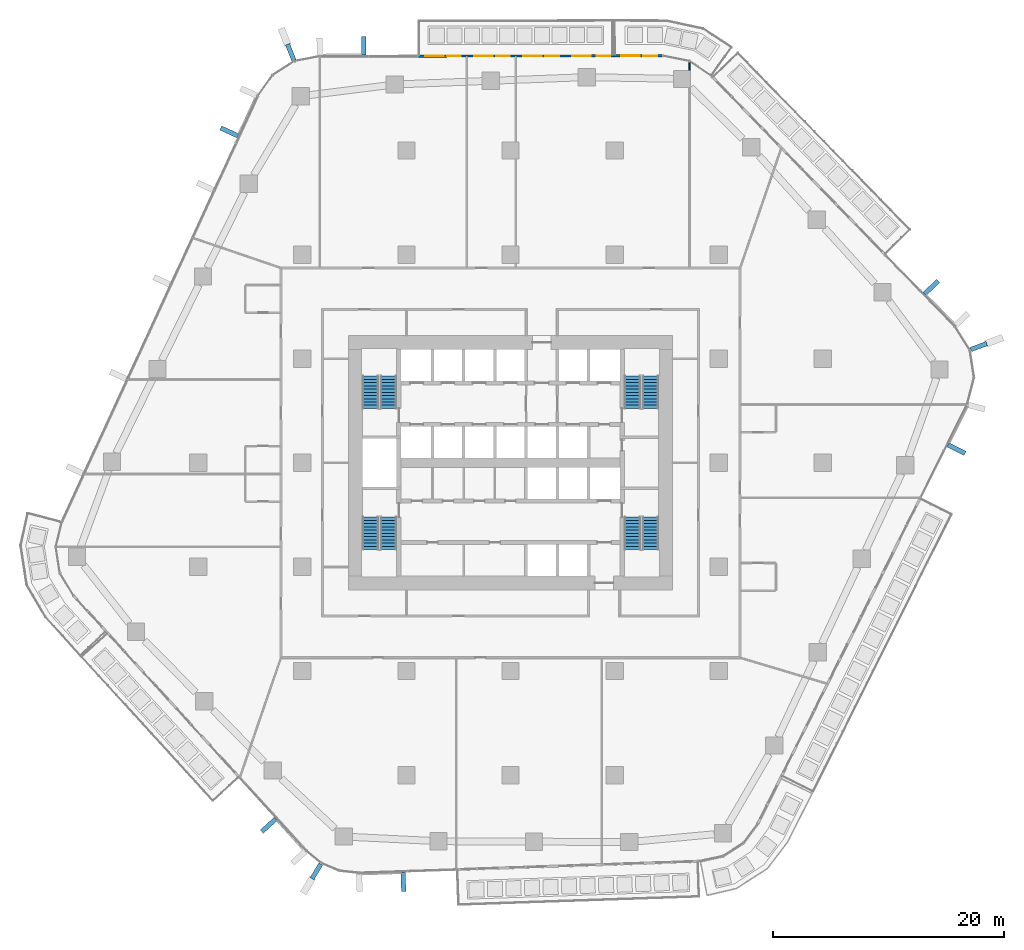
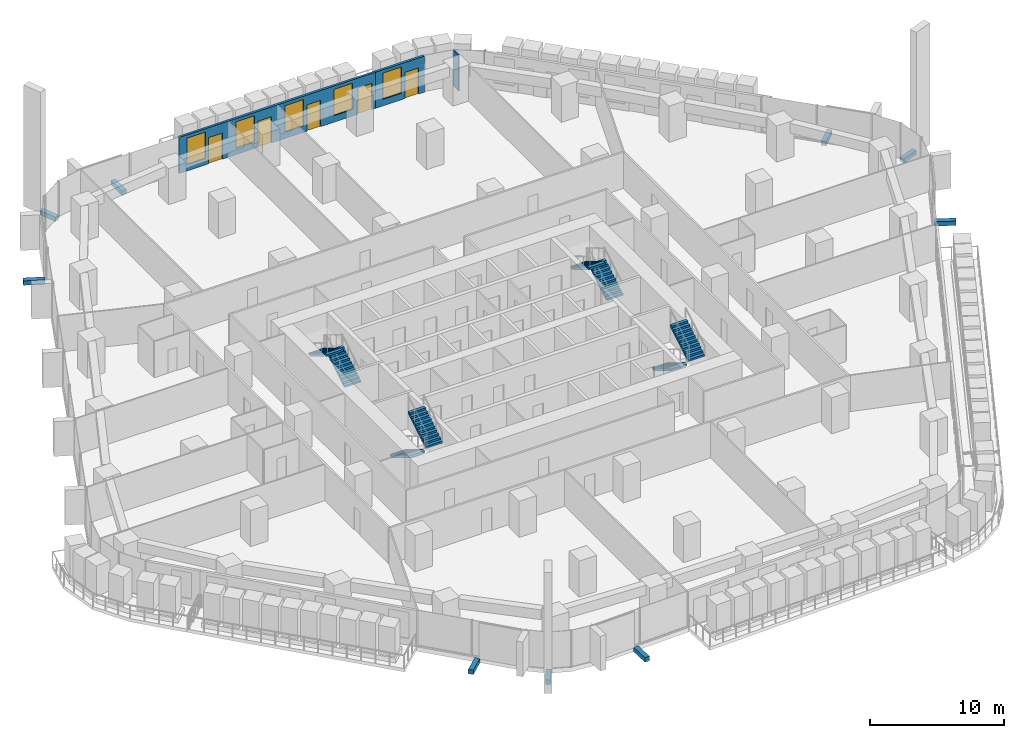
# One storey, part 18 of 26: 9 discrete accessories, 8 stair flights, 5 doors, 5 windows, 3 walls, 10 openings, 4 elements without a shape of their own.
"""IFC4 building model written with IfcOpenShell, lengths in metres."""

from ifc_helpers import new_model, si_unit, direction, frame, frame_2d, origin, origin_2d, place, context, subcontext, project, spatial, polyline, rectangle, outline, extrude, material, layer, layer_set, type_object, element, fill, aggregate, save


model = new_model("IFC4")

# Units and contexts
model_context = context("Model", 3, precision=1e-05, world=origin(), true_north=direction((0.0, 1.0)))
body_context = subcontext(model_context, "Body", "Model", "MODEL_VIEW")
ifc_project = project(units=[si_unit("LENGTHUNIT", "METRE"), si_unit("AREAUNIT", "SQUARE_METRE"), si_unit("VOLUMEUNIT", "CUBIC_METRE"), si_unit("PLANEANGLEUNIT", "RADIAN"), si_unit("MASSUNIT", "GRAM", prefix="KILO")], contexts=[model_context])

# Site, building, storey
site_placement = place(None, origin())
site = spatial("IfcSite", under=ifc_project, at=site_placement, CompositionType="ELEMENT")
building_placement = place(site_placement, origin())
building = spatial("IfcBuilding", under=site, at=building_placement, Name="Dongbaek Canopy Tower", CompositionType="ELEMENT")
storey_placement = place(building_placement, frame((0.0, 0.0, 66.199951171875)))
storey = spatial("IfcBuildingStorey", under=building, at=storey_placement, Name="L12", CompositionType="ELEMENT", Elevation=66.199951171875)

# Wall
ifc_material_1 = material(Name="Gypsum board partition, steel stud, 2 x 12.5 mm board", Category="steel")
ifc_layer_1 = layer(ifc_material_1, 0.10009765625)
ifc_layer_set_1 = layer_set([ifc_layer_1], Name="Partition 100 gypsum board")
wall_type_1 = type_object("IfcWallType", Name="Partition 100 gypsum board", PredefinedType="PARTITIONING", material=ifc_layer_set_1)
wall_1_placement = place(storey_placement, frame((15.47607421875, 33.944091796875, 0.0), z_axis=(0.0, 0.0, 1.0), x_axis=(0.0, 1.0, 0.0)))
element("IfcWall", 1, at=wall_1_placement, inside=storey, type_object=wall_type_1, Name="Partition", PredefinedType="PARTITIONING", context=body_context, shape_type="SweptSolid", body=[
    extrude(rectangle(XDim=0.76171875, YDim=0.10009765625, at=frame_2d((0.380859375, 0.0))), origin(), (0.0, 0.0, 1.0), 3.300048828125),
])

# Wall, openings, doors, windows
ifc_material_2 = material(Name="Aluminium window wall", Category="aluminium")
ifc_layer_2 = layer(ifc_material_2, 0.199951171875)
ifc_layer_set_2 = layer_set([ifc_layer_2], Name="Window wall 200")
wall_type_2 = type_object("IfcWallType", Name="Window wall 200", PredefinedType="SOLIDWALL", material=ifc_layer_set_2)
wall_2_placement = place(storey_placement, frame((8.934326171875, 35.189697265625, 0.0), z_axis=(0.0, 0.0, 1.0), x_axis=(-0.999998964441, -0.001439137329, 0.0)))
wall_2 = element("IfcWall", 2, at=wall_2_placement, inside=storey, type_object=wall_type_2, Name="Window wall L12 2", PredefinedType="SOLIDWALL", context=body_context, shape_type="SweptSolid", body=[
    extrude(rectangle(XDim=16.96435546875, YDim=0.199951171875, at=frame_2d((8.482177734375, 0.0))), origin(), (0.0, 0.0, 1.0), 3.300048828125),
])
opening_1_placement = place(wall_2_placement, frame((2.0, 0.0, 0.60009765625)))
opening_1 = element("IfcOpeningElement", 3, at=opening_1_placement, cuts=wall_2, Name="Opening W1", PredefinedType="OPENING", context=body_context, shape_type="SweptSolid", body=[
    extrude(rectangle(XDim=1.60009765625, YDim=2.39990234375, at=frame_2d((0.800048828125, 1.199951171875))), frame((0.0, 0.10986328125, 0.0), z_axis=(0.0, -1.0, 0.0), x_axis=(1.0, 0.0, 0.0)), (0.0, 0.0, 1.0), 0.219970703125),
])
opening_2_placement = place(wall_2_placement, frame((0.300048828125, 0.0, 0.0)))
opening_2 = element("IfcOpeningElement", 4, at=opening_2_placement, cuts=wall_2, Name="Opening L12-B06", PredefinedType="OPENING", context=body_context, shape_type="SweptSolid", body=[
    extrude(rectangle(XDim=1.199951171875, YDim=2.39990234375, at=frame_2d((0.60009765625, 1.199951171875))), frame((0.0, 0.10986328125, 0.0), z_axis=(0.0, -1.0, 0.0), x_axis=(1.0, 0.0, 0.0)), (0.0, 0.0, 1.0), 0.219970703125),
])
opening_3_placement = place(wall_2_placement, frame((6.2412109375, 0.0, 0.60009765625)))
opening_3 = element("IfcOpeningElement", 5, at=opening_3_placement, cuts=wall_2, Name="Opening W1", PredefinedType="OPENING", context=body_context, shape_type="SweptSolid", body=[
    extrude(rectangle(XDim=1.60009765625, YDim=2.39990234375, at=frame_2d((0.800048828125, 1.199951171875))), frame((0.0, 0.10986328125, 0.0), z_axis=(0.0, -1.0, 0.0), x_axis=(1.0, 0.0, 0.0)), (0.0, 0.0, 1.0), 0.219970703125),
])
opening_4_placement = place(wall_2_placement, frame((4.7412109375, 0.0, 0.0)))
opening_4 = element("IfcOpeningElement", 6, at=opening_4_placement, cuts=wall_2, Name="Opening L12-B07", PredefinedType="OPENING", context=body_context, shape_type="SweptSolid", body=[
    extrude(rectangle(XDim=1.199951171875, YDim=2.39990234375, at=frame_2d((0.60009765625, 1.199951171875))), frame((0.0, 0.10986328125, 0.0), z_axis=(0.0, -1.0, 0.0), x_axis=(1.0, 0.0, 0.0)), (0.0, 0.0, 1.0), 0.219970703125),
])
opening_5_placement = place(wall_2_placement, frame((10.482177734375, 0.0, 0.60009765625)))
opening_5 = element("IfcOpeningElement", 7, at=opening_5_placement, cuts=wall_2, Name="Opening W1", PredefinedType="OPENING", context=body_context, shape_type="SweptSolid", body=[
    extrude(rectangle(XDim=1.60009765625, YDim=2.39990234375, at=frame_2d((0.800048828125, 1.199951171875))), frame((0.0, 0.10986328125, 0.0), z_axis=(0.0, -1.0, 0.0), x_axis=(1.0, 0.0, 0.0)), (0.0, 0.0, 1.0), 0.219970703125),
])
opening_6_placement = place(wall_2_placement, frame((8.982177734375, 0.0, 0.0)))
opening_6 = element("IfcOpeningElement", 8, at=opening_6_placement, cuts=wall_2, Name="Opening L12-B08", PredefinedType="OPENING", context=body_context, shape_type="SweptSolid", body=[
    extrude(rectangle(XDim=1.199951171875, YDim=2.39990234375, at=frame_2d((0.60009765625, 1.199951171875))), frame((0.0, 0.10986328125, 0.0), z_axis=(0.0, -1.0, 0.0), x_axis=(1.0, 0.0, 0.0)), (0.0, 0.0, 1.0), 0.219970703125),
])
opening_7_placement = place(wall_2_placement, frame((14.723388671875, 0.0, 0.60009765625)))
opening_7 = element("IfcOpeningElement", 9, at=opening_7_placement, cuts=wall_2, Name="Opening W1", PredefinedType="OPENING", context=body_context, shape_type="SweptSolid", body=[
    extrude(rectangle(XDim=1.60009765625, YDim=2.39990234375, at=frame_2d((0.800048828125, 1.199951171875))), frame((0.0, 0.10986328125, 0.0), z_axis=(0.0, -1.0, 0.0), x_axis=(1.0, 0.0, 0.0)), (0.0, 0.0, 1.0), 0.219970703125),
])
opening_8_placement = place(wall_2_placement, frame((13.223388671875, 0.0, 0.0)))
opening_8 = element("IfcOpeningElement", 10, at=opening_8_placement, cuts=wall_2, Name="Opening L12-B09", PredefinedType="OPENING", context=body_context, shape_type="SweptSolid", body=[
    extrude(rectangle(XDim=1.199951171875, YDim=2.39990234375, at=frame_2d((0.60009765625, 1.199951171875))), frame((0.0, 0.10986328125, 0.0), z_axis=(0.0, -1.0, 0.0), x_axis=(1.0, 0.0, 0.0)), (0.0, 0.0, 1.0), 0.219970703125),
])
ifc_material_3 = material(Name="Clear glazing in aluminium frame", Category="aluminium")
door_type = type_object("IfcDoorType", Name="Balcony door BD1 1200 x 2400", OperationType="SLIDING_TO_LEFT", PredefinedType="DOOR", material=ifc_material_3)
door_1_placement = place(opening_2_placement, origin())
door_1 = element("IfcDoor", 11, at=door_1_placement, inside=storey, type_object=door_type, Name="Balcony door L12-B06", OperationType="SLIDING_TO_LEFT", OverallHeight=2.39990234375, OverallWidth=1.199951171875, PredefinedType="DOOR", context=body_context, shape_type="SweptSolid", body=[
    extrude(rectangle(XDim=1.199951171875, YDim=2.39990234375, at=frame_2d((0.60009765625, 1.199951171875))), frame((0.0, 0.02490234375, 0.0), z_axis=(0.0, -1.0, 0.0), x_axis=(1.0, 0.0, 0.0)), (0.0, 0.0, 1.0), 0.050048828125),
])
fill(opening_2, door_1)
door_2_placement = place(opening_4_placement, origin())
door_2 = element("IfcDoor", 12, at=door_2_placement, inside=storey, type_object=door_type, Name="Balcony door L12-B07", OperationType="SLIDING_TO_LEFT", OverallHeight=2.39990234375, OverallWidth=1.199951171875, PredefinedType="DOOR", context=body_context, shape_type="SweptSolid", body=[
    extrude(rectangle(XDim=1.199951171875, YDim=2.39990234375, at=frame_2d((0.60009765625, 1.199951171875))), frame((0.0, 0.02490234375, 0.0), z_axis=(0.0, -1.0, 0.0), x_axis=(1.0, 0.0, 0.0)), (0.0, 0.0, 1.0), 0.050048828125),
])
fill(opening_4, door_2)
door_3_placement = place(opening_6_placement, origin())
door_3 = element("IfcDoor", 13, at=door_3_placement, inside=storey, type_object=door_type, Name="Balcony door L12-B08", OperationType="SLIDING_TO_LEFT", OverallHeight=2.39990234375, OverallWidth=1.199951171875, PredefinedType="DOOR", context=body_context, shape_type="SweptSolid", body=[
    extrude(rectangle(XDim=1.199951171875, YDim=2.39990234375, at=frame_2d((0.60009765625, 1.199951171875))), frame((0.0, 0.02490234375, 0.0), z_axis=(0.0, -1.0, 0.0), x_axis=(1.0, 0.0, 0.0)), (0.0, 0.0, 1.0), 0.050048828125),
])
fill(opening_6, door_3)
door_4_placement = place(opening_8_placement, origin())
door_4 = element("IfcDoor", 14, at=door_4_placement, inside=storey, type_object=door_type, Name="Balcony door L12-B09", OperationType="SLIDING_TO_LEFT", OverallHeight=2.39990234375, OverallWidth=1.199951171875, PredefinedType="DOOR", context=body_context, shape_type="SweptSolid", body=[
    extrude(rectangle(XDim=1.199951171875, YDim=2.39990234375, at=frame_2d((0.60009765625, 1.199951171875))), frame((0.0, 0.02490234375, 0.0), z_axis=(0.0, -1.0, 0.0), x_axis=(1.0, 0.0, 0.0)), (0.0, 0.0, 1.0), 0.050048828125),
])
fill(opening_8, door_4)
ifc_material_4 = material(Name="Clear glazing in aluminium frame", Category="aluminium")
window_type = type_object("IfcWindowType", Name="Window W1 1600 x 2400", PartitioningType="SINGLE_PANEL", PredefinedType="WINDOW", material=ifc_material_4)
window_1_placement = place(opening_1_placement, origin())
window_1 = element("IfcWindow", 15, at=window_1_placement, inside=storey, type_object=window_type, Name="Window L12 2.1", OverallHeight=2.39990234375, OverallWidth=1.60009765625, PartitioningType="SINGLE_PANEL", PredefinedType="WINDOW", context=body_context, shape_type="SweptSolid", body=[
    extrude(rectangle(XDim=1.60009765625, YDim=2.39990234375, at=frame_2d((0.800048828125, 1.199951171875))), frame((0.0, 0.030029296875, 0.0), z_axis=(0.0, -1.0, 0.0), x_axis=(1.0, 0.0, 0.0)), (0.0, 0.0, 1.0), 0.06005859375),
])
fill(opening_1, window_1)
window_2_placement = place(opening_3_placement, origin())
window_2 = element("IfcWindow", 16, at=window_2_placement, inside=storey, type_object=window_type, Name="Window L12 2.2", OverallHeight=2.39990234375, OverallWidth=1.60009765625, PartitioningType="SINGLE_PANEL", PredefinedType="WINDOW", context=body_context, shape_type="SweptSolid", body=[
    extrude(rectangle(XDim=1.60009765625, YDim=2.39990234375, at=frame_2d((0.800048828125, 1.199951171875))), frame((0.0, 0.030029296875, 0.0), z_axis=(0.0, -1.0, 0.0), x_axis=(1.0, 0.0, 0.0)), (0.0, 0.0, 1.0), 0.06005859375),
])
fill(opening_3, window_2)
window_3_placement = place(opening_5_placement, origin())
window_3 = element("IfcWindow", 17, at=window_3_placement, inside=storey, type_object=window_type, Name="Window L12 2.3", OverallHeight=2.39990234375, OverallWidth=1.60009765625, PartitioningType="SINGLE_PANEL", PredefinedType="WINDOW", context=body_context, shape_type="SweptSolid", body=[
    extrude(rectangle(XDim=1.60009765625, YDim=2.39990234375, at=frame_2d((0.800048828125, 1.199951171875))), frame((0.0, 0.030029296875, 0.0), z_axis=(0.0, -1.0, 0.0), x_axis=(1.0, 0.0, 0.0)), (0.0, 0.0, 1.0), 0.06005859375),
])
fill(opening_5, window_3)
window_4_placement = place(opening_7_placement, origin())
window_4 = element("IfcWindow", 18, at=window_4_placement, inside=storey, type_object=window_type, Name="Window L12 2.4", OverallHeight=2.39990234375, OverallWidth=1.60009765625, PartitioningType="SINGLE_PANEL", PredefinedType="WINDOW", context=body_context, shape_type="SweptSolid", body=[
    extrude(rectangle(XDim=1.60009765625, YDim=2.39990234375, at=frame_2d((0.800048828125, 1.199951171875))), frame((0.0, 0.030029296875, 0.0), z_axis=(0.0, -1.0, 0.0), x_axis=(1.0, 0.0, 0.0)), (0.0, 0.0, 1.0), 0.06005859375),
])
fill(opening_7, window_4)

# Wall, openings, door, window
wall_3_placement = place(storey_placement, frame((13.16552734375, 35.19580078125, 0.0), z_axis=(0.0, 0.0, 1.0), x_axis=(-0.999998959596, -0.001442500374, 0.0)))
wall_3 = element("IfcWall", 19, at=wall_3_placement, inside=storey, type_object=wall_type_2, Name="Window wall L12 6", PredefinedType="SOLIDWALL", context=body_context, shape_type="SweptSolid", body=[
    extrude(rectangle(XDim=4.231201171875, YDim=0.199951171875, at=frame_2d((2.11572265625, 0.0))), origin(), (0.0, 0.0, 1.0), 3.300048828125),
])
opening_9_placement = place(wall_3_placement, frame((2.0, 0.0, 0.60009765625)))
opening_9 = element("IfcOpeningElement", 20, at=opening_9_placement, cuts=wall_3, Name="Opening W1", PredefinedType="OPENING", context=body_context, shape_type="SweptSolid", body=[
    extrude(rectangle(XDim=1.60009765625, YDim=2.39990234375, at=frame_2d((0.800048828125, 1.199951171875))), frame((0.0, 0.10986328125, 0.0), z_axis=(0.0, -1.0, 0.0), x_axis=(1.0, 0.0, 0.0)), (0.0, 0.0, 1.0), 0.219970703125),
])
opening_10_placement = place(wall_3_placement, frame((0.5, 0.0, 0.0)))
opening_10 = element("IfcOpeningElement", 21, at=opening_10_placement, cuts=wall_3, Name="Opening L12-B10", PredefinedType="OPENING", context=body_context, shape_type="SweptSolid", body=[
    extrude(rectangle(XDim=1.199951171875, YDim=2.39990234375, at=frame_2d((0.60009765625, 1.199951171875))), frame((0.0, 0.10986328125, 0.0), z_axis=(0.0, -1.0, 0.0), x_axis=(1.0, 0.0, 0.0)), (0.0, 0.0, 1.0), 0.219970703125),
])
door_5_placement = place(opening_10_placement, origin())
door_5 = element("IfcDoor", 22, at=door_5_placement, inside=storey, type_object=door_type, Name="Balcony door L12-B10", OperationType="SLIDING_TO_LEFT", OverallHeight=2.39990234375, OverallWidth=1.199951171875, PredefinedType="DOOR", context=body_context, shape_type="SweptSolid", body=[
    extrude(rectangle(XDim=1.199951171875, YDim=2.39990234375, at=frame_2d((0.60009765625, 1.199951171875))), frame((0.0, 0.02490234375, 0.0), z_axis=(0.0, -1.0, 0.0), x_axis=(1.0, 0.0, 0.0)), (0.0, 0.0, 1.0), 0.050048828125),
])
fill(opening_10, door_5)
window_5_placement = place(opening_9_placement, origin())
window_5 = element("IfcWindow", 23, at=window_5_placement, inside=storey, type_object=window_type, Name="Window L12 6.1", OverallHeight=2.39990234375, OverallWidth=1.60009765625, PartitioningType="SINGLE_PANEL", PredefinedType="WINDOW", context=body_context, shape_type="SweptSolid", body=[
    extrude(rectangle(XDim=1.60009765625, YDim=2.39990234375, at=frame_2d((0.800048828125, 1.199951171875))), frame((0.0, 0.030029296875, 0.0), z_axis=(0.0, -1.0, 0.0), x_axis=(1.0, 0.0, 0.0)), (0.0, 0.0, 1.0), 0.06005859375),
])
fill(opening_9, window_5)

# Stair, stair flights
ifc_material_5 = material(Name="Concrete C40/50", Category="concrete")
stair_type = type_object("IfcStairType", Name="Core exit stair", PredefinedType="HALF_TURN_STAIR", material=ifc_material_5)
stair_1_placement = place(storey_placement, origin())
stair_1 = element("IfcStair", 24, at=stair_1_placement, inside=storey, type_object=stair_type, Name="L12 exit stair A", PredefinedType="HALF_TURN_STAIR")
ifc_material_6 = material(Name="Concrete C40/50", Category="concrete")
ifc_layer_3 = layer(ifc_material_6, 0.14990234375)
ifc_layer_set_3 = layer_set([ifc_layer_3], Name="Core stair flight 150 waist")
stair_flight_type = type_object("IfcStairFlightType", Name="Core stair flight 150 waist", PredefinedType="STRAIGHT", material=ifc_layer_set_3)
stair_flight_1_placement = place(storey_placement, frame((12.10009765625, 4.699951171875, 0.0), z_axis=(0.0, 0.0, 1.0), x_axis=(0.0, 1.0, 0.0)))
stair_flight_1 = element("IfcStairFlight", 25, at=stair_flight_1_placement, type_object=stair_flight_type, Name="ST-A flight 1", NumberOfRisers=11, NumberOfTreads=10, PredefinedType="STRAIGHT", RiserHeight=0.168181818, TreadLength=0.28, context=body_context, shape_type="SweptSolid", body=[
    extrude(outline(polyline([(0.0, 0.0), (0.0, 0.168212890625), (0.280029296875, 0.168212890625), (0.280029296875, 0.33642578125), (0.56005859375, 0.33642578125), (0.56005859375, 0.504638671875), (0.840087890625, 0.504638671875), (0.840087890625, 0.672607421875), (1.1201171875, 0.672607421875), (1.1201171875, 0.8408203125), (1.39990234375, 0.8408203125), (1.39990234375, 1.009033203125), (1.679931640625, 1.009033203125), (1.679931640625, 1.17724609375), (1.9599609375, 1.17724609375), (1.9599609375, 1.345458984375), (2.239990234375, 1.345458984375), (2.239990234375, 1.513671875), (2.52001953125, 1.513671875), (2.52001953125, 1.681884765625), (2.800048828125, 1.681884765625), (2.800048828125, 1.85009765625), (2.800048828125, 1.5068359375), (0.291015625, 0.0), (0.0, 0.0)])), frame((0.0, 0.699951171875, 0.0), z_axis=(0.0, -1.0, 0.0), x_axis=(1.0, 0.0, 0.0)), (0.0, 0.0, 1.0), 1.39990234375),
])
stair_flight_2_placement = place(storey_placement, frame((10.550048828125, 7.5, 1.85009765625), z_axis=(0.0, 0.0, 1.0), x_axis=(0.0, -1.0, 0.0)))
stair_flight_2 = element("IfcStairFlight", 26, at=stair_flight_2_placement, type_object=stair_flight_type, Name="ST-A flight 2", NumberOfRisers=11, NumberOfTreads=10, PredefinedType="STRAIGHT", RiserHeight=0.168181818, TreadLength=0.28, context=body_context, shape_type="SweptSolid", body=[
    extrude(outline(polyline([(0.0, 0.0), (0.0, 0.168212890625), (0.280029296875, 0.168212890625), (0.280029296875, 0.33642578125), (0.56005859375, 0.33642578125), (0.56005859375, 0.504638671875), (0.840087890625, 0.504638671875), (0.840087890625, 0.672607421875), (1.1201171875, 0.672607421875), (1.1201171875, 0.8408203125), (1.39990234375, 0.8408203125), (1.39990234375, 1.009033203125), (1.679931640625, 1.009033203125), (1.679931640625, 1.17724609375), (1.9599609375, 1.17724609375), (1.9599609375, 1.345458984375), (2.239990234375, 1.345458984375), (2.239990234375, 1.513671875), (2.52001953125, 1.513671875), (2.52001953125, 1.681884765625), (2.800048828125, 1.681884765625), (2.800048828125, 1.85009765625), (2.800048828125, 1.5068359375), (0.291015625, 0.0), (0.0, 0.0)])), frame((0.0, 0.699951171875, 0.0), z_axis=(0.0, -1.0, 0.0), x_axis=(1.0, 0.0, 0.0)), (0.0, 0.0, 1.0), 1.39990234375),
])
aggregate(stair_1, [stair_flight_1, stair_flight_2])

stair_2_placement = place(storey_placement, origin())
stair_2 = element("IfcStair", 27, at=stair_2_placement, inside=storey, type_object=stair_type, Name="L12 exit stair C", PredefinedType="HALF_TURN_STAIR")
stair_flight_3_placement = place(storey_placement, frame((-10.550048828125, 4.699951171875, 0.0), z_axis=(0.0, 0.0, 1.0), x_axis=(0.0, 1.0, 0.0)))
stair_flight_3 = element("IfcStairFlight", 28, at=stair_flight_3_placement, type_object=stair_flight_type, Name="ST-C flight 1", NumberOfRisers=11, NumberOfTreads=10, PredefinedType="STRAIGHT", RiserHeight=0.168181818, TreadLength=0.28, context=body_context, shape_type="SweptSolid", body=[
    extrude(outline(polyline([(0.0, 0.0), (0.0, 0.168212890625), (0.280029296875, 0.168212890625), (0.280029296875, 0.33642578125), (0.56005859375, 0.33642578125), (0.56005859375, 0.504638671875), (0.840087890625, 0.504638671875), (0.840087890625, 0.672607421875), (1.1201171875, 0.672607421875), (1.1201171875, 0.8408203125), (1.39990234375, 0.8408203125), (1.39990234375, 1.009033203125), (1.679931640625, 1.009033203125), (1.679931640625, 1.17724609375), (1.9599609375, 1.17724609375), (1.9599609375, 1.345458984375), (2.239990234375, 1.345458984375), (2.239990234375, 1.513671875), (2.52001953125, 1.513671875), (2.52001953125, 1.681884765625), (2.800048828125, 1.681884765625), (2.800048828125, 1.85009765625), (2.800048828125, 1.5068359375), (0.291015625, 0.0), (0.0, 0.0)])), frame((0.0, 0.699951171875, 0.0), z_axis=(0.0, -1.0, 0.0), x_axis=(1.0, 0.0, 0.0)), (0.0, 0.0, 1.0), 1.39990234375),
])
stair_flight_4_placement = place(storey_placement, frame((-12.10009765625, 7.5, 1.85009765625), z_axis=(0.0, 0.0, 1.0), x_axis=(0.0, -1.0, 0.0)))
stair_flight_4 = element("IfcStairFlight", 29, at=stair_flight_4_placement, type_object=stair_flight_type, Name="ST-C flight 2", NumberOfRisers=11, NumberOfTreads=10, PredefinedType="STRAIGHT", RiserHeight=0.168181818, TreadLength=0.28, context=body_context, shape_type="SweptSolid", body=[
    extrude(outline(polyline([(0.0, 0.0), (0.0, 0.168212890625), (0.280029296875, 0.168212890625), (0.280029296875, 0.33642578125), (0.56005859375, 0.33642578125), (0.56005859375, 0.504638671875), (0.840087890625, 0.504638671875), (0.840087890625, 0.672607421875), (1.1201171875, 0.672607421875), (1.1201171875, 0.8408203125), (1.39990234375, 0.8408203125), (1.39990234375, 1.009033203125), (1.679931640625, 1.009033203125), (1.679931640625, 1.17724609375), (1.9599609375, 1.17724609375), (1.9599609375, 1.345458984375), (2.239990234375, 1.345458984375), (2.239990234375, 1.513671875), (2.52001953125, 1.513671875), (2.52001953125, 1.681884765625), (2.800048828125, 1.681884765625), (2.800048828125, 1.85009765625), (2.800048828125, 1.5068359375), (0.291015625, 0.0), (0.0, 0.0)])), frame((0.0, 0.699951171875, 0.0), z_axis=(0.0, -1.0, 0.0), x_axis=(1.0, 0.0, 0.0)), (0.0, 0.0, 1.0), 1.39990234375),
])
aggregate(stair_2, [stair_flight_3, stair_flight_4])

stair_3_placement = place(storey_placement, origin())
stair_3 = element("IfcStair", 30, at=stair_3_placement, inside=storey, type_object=stair_type, Name="L12 exit stair B", PredefinedType="HALF_TURN_STAIR")
stair_flight_5_placement = place(storey_placement, frame((10.550048828125, -4.699951171875, 0.0), z_axis=(0.0, 0.0, 1.0), x_axis=(0.0, -1.0, 0.0)))
stair_flight_5 = element("IfcStairFlight", 31, at=stair_flight_5_placement, type_object=stair_flight_type, Name="ST-B flight 1", NumberOfRisers=11, NumberOfTreads=10, PredefinedType="STRAIGHT", RiserHeight=0.168181818, TreadLength=0.28, context=body_context, shape_type="SweptSolid", body=[
    extrude(outline(polyline([(0.0, 0.0), (0.0, 0.168212890625), (0.280029296875, 0.168212890625), (0.280029296875, 0.33642578125), (0.56005859375, 0.33642578125), (0.56005859375, 0.504638671875), (0.840087890625, 0.504638671875), (0.840087890625, 0.672607421875), (1.1201171875, 0.672607421875), (1.1201171875, 0.8408203125), (1.39990234375, 0.8408203125), (1.39990234375, 1.009033203125), (1.679931640625, 1.009033203125), (1.679931640625, 1.17724609375), (1.9599609375, 1.17724609375), (1.9599609375, 1.345458984375), (2.239990234375, 1.345458984375), (2.239990234375, 1.513671875), (2.52001953125, 1.513671875), (2.52001953125, 1.681884765625), (2.800048828125, 1.681884765625), (2.800048828125, 1.85009765625), (2.800048828125, 1.5068359375), (0.291015625, 0.0), (0.0, 0.0)])), frame((0.0, 0.699951171875, 0.0), z_axis=(0.0, -1.0, 0.0), x_axis=(1.0, 0.0, 0.0)), (0.0, 0.0, 1.0), 1.39990234375),
])
stair_flight_6_placement = place(storey_placement, frame((12.10009765625, -7.5, 1.85009765625), z_axis=(0.0, 0.0, 1.0), x_axis=(0.0, 1.0, 0.0)))
stair_flight_6 = element("IfcStairFlight", 32, at=stair_flight_6_placement, type_object=stair_flight_type, Name="ST-B flight 2", NumberOfRisers=11, NumberOfTreads=10, PredefinedType="STRAIGHT", RiserHeight=0.168181818, TreadLength=0.28, context=body_context, shape_type="SweptSolid", body=[
    extrude(outline(polyline([(0.0, 0.0), (0.0, 0.168212890625), (0.280029296875, 0.168212890625), (0.280029296875, 0.33642578125), (0.56005859375, 0.33642578125), (0.56005859375, 0.504638671875), (0.840087890625, 0.504638671875), (0.840087890625, 0.672607421875), (1.1201171875, 0.672607421875), (1.1201171875, 0.8408203125), (1.39990234375, 0.8408203125), (1.39990234375, 1.009033203125), (1.679931640625, 1.009033203125), (1.679931640625, 1.17724609375), (1.9599609375, 1.17724609375), (1.9599609375, 1.345458984375), (2.239990234375, 1.345458984375), (2.239990234375, 1.513671875), (2.52001953125, 1.513671875), (2.52001953125, 1.681884765625), (2.800048828125, 1.681884765625), (2.800048828125, 1.85009765625), (2.800048828125, 1.5068359375), (0.291015625, 0.0), (0.0, 0.0)])), frame((0.0, 0.699951171875, 0.0), z_axis=(0.0, -1.0, 0.0), x_axis=(1.0, 0.0, 0.0)), (0.0, 0.0, 1.0), 1.39990234375),
])
aggregate(stair_3, [stair_flight_5, stair_flight_6])

stair_4_placement = place(storey_placement, origin())
stair_4 = element("IfcStair", 33, at=stair_4_placement, inside=storey, type_object=stair_type, Name="L12 exit stair D", PredefinedType="HALF_TURN_STAIR")
stair_flight_7_placement = place(storey_placement, frame((-12.10009765625, -4.699951171875, 0.0), z_axis=(0.0, 0.0, 1.0), x_axis=(0.0, -1.0, 0.0)))
stair_flight_7 = element("IfcStairFlight", 34, at=stair_flight_7_placement, type_object=stair_flight_type, Name="ST-D flight 1", NumberOfRisers=11, NumberOfTreads=10, PredefinedType="STRAIGHT", RiserHeight=0.168181818, TreadLength=0.28, context=body_context, shape_type="SweptSolid", body=[
    extrude(outline(polyline([(0.0, 0.0), (0.0, 0.168212890625), (0.280029296875, 0.168212890625), (0.280029296875, 0.33642578125), (0.56005859375, 0.33642578125), (0.56005859375, 0.504638671875), (0.840087890625, 0.504638671875), (0.840087890625, 0.672607421875), (1.1201171875, 0.672607421875), (1.1201171875, 0.8408203125), (1.39990234375, 0.8408203125), (1.39990234375, 1.009033203125), (1.679931640625, 1.009033203125), (1.679931640625, 1.17724609375), (1.9599609375, 1.17724609375), (1.9599609375, 1.345458984375), (2.239990234375, 1.345458984375), (2.239990234375, 1.513671875), (2.52001953125, 1.513671875), (2.52001953125, 1.681884765625), (2.800048828125, 1.681884765625), (2.800048828125, 1.85009765625), (2.800048828125, 1.5068359375), (0.291015625, 0.0), (0.0, 0.0)])), frame((0.0, 0.699951171875, 0.0), z_axis=(0.0, -1.0, 0.0), x_axis=(1.0, 0.0, 0.0)), (0.0, 0.0, 1.0), 1.39990234375),
])
stair_flight_8_placement = place(storey_placement, frame((-10.550048828125, -7.5, 1.85009765625), z_axis=(0.0, 0.0, 1.0), x_axis=(0.0, 1.0, 0.0)))
stair_flight_8 = element("IfcStairFlight", 35, at=stair_flight_8_placement, type_object=stair_flight_type, Name="ST-D flight 2", NumberOfRisers=11, NumberOfTreads=10, PredefinedType="STRAIGHT", RiserHeight=0.168181818, TreadLength=0.28, context=body_context, shape_type="SweptSolid", body=[
    extrude(outline(polyline([(0.0, 0.0), (0.0, 0.168212890625), (0.280029296875, 0.168212890625), (0.280029296875, 0.33642578125), (0.56005859375, 0.33642578125), (0.56005859375, 0.504638671875), (0.840087890625, 0.504638671875), (0.840087890625, 0.672607421875), (1.1201171875, 0.672607421875), (1.1201171875, 0.8408203125), (1.39990234375, 0.8408203125), (1.39990234375, 1.009033203125), (1.679931640625, 1.009033203125), (1.679931640625, 1.17724609375), (1.9599609375, 1.17724609375), (1.9599609375, 1.345458984375), (2.239990234375, 1.345458984375), (2.239990234375, 1.513671875), (2.52001953125, 1.513671875), (2.52001953125, 1.681884765625), (2.800048828125, 1.681884765625), (2.800048828125, 1.85009765625), (2.800048828125, 1.5068359375), (0.291015625, 0.0), (0.0, 0.0)])), frame((0.0, 0.699951171875, 0.0), z_axis=(0.0, -1.0, 0.0), x_axis=(1.0, 0.0, 0.0)), (0.0, 0.0, 1.0), 1.39990234375),
])
aggregate(stair_4, [stair_flight_7, stair_flight_8])

# Discrete accessories
ifc_material_7 = material(Name="Galvanised steel S355 bracket", Category="steel")
discrete_accessory_type = type_object("IfcDiscreteAccessoryType", Name="Crease fin bracket BR3 400", PredefinedType="BRACKET", material=ifc_material_7)
discrete_accessory_1_placement = place(storey_placement, frame((38.5654296875, 1.189697265625, -0.39990234375), z_axis=(0.0, 0.0, 1.0), x_axis=(0.89482297075, -0.446421158793, 0.0)))
element("IfcDiscreteAccessory", 36, at=discrete_accessory_1_placement, inside=storey, type_object=discrete_accessory_type, Name="Crease fin bracket L12 F5", PredefinedType="BRACKET", context=body_context, shape_type="SweptSolid", body=[
    extrude(rectangle(XDim=1.635009765625, YDim=0.39990234375, at=origin_2d()), origin(), (0.0, 0.0, 1.0), 0.39990234375),
])
discrete_accessory_2_placement = place(storey_placement, frame((36.39697265625, 15.1748046875, -0.39990234375), z_axis=(0.0, 0.0, 1.0), x_axis=(0.717186761039, 0.696881015519, 0.0)))
element("IfcDiscreteAccessory", 37, at=discrete_accessory_2_placement, inside=storey, type_object=discrete_accessory_type, Name="Crease fin bracket L12 F0", PredefinedType="BRACKET", context=body_context, shape_type="SweptSolid", body=[
    extrude(rectangle(XDim=1.61474609375, YDim=0.39990234375, at=origin_2d()), origin(), (0.0, 0.0, 1.0), 0.39990234375),
])
discrete_accessory_3_placement = place(storey_placement, frame((-12.68798828125, 36.0673828125, -0.39990234375), z_axis=(0.0, 0.0, 1.0), x_axis=(-0.001434660153, 0.999998970875, 0.0)))
element("IfcDiscreteAccessory", 38, at=discrete_accessory_3_placement, inside=storey, type_object=discrete_accessory_type, Name="Crease fin bracket L12 F1", PredefinedType="BRACKET", context=body_context, shape_type="SweptSolid", body=[
    extrude(rectangle(XDim=1.61767578125, YDim=0.39990234375, at=origin_2d()), origin(), (0.0, 0.0, 1.0), 0.39990234375),
])
discrete_accessory_4_placement = place(storey_placement, frame((-24.30859375, 28.611328125, -0.39990234375), z_axis=(0.0, 0.0, 1.0), x_axis=(-0.908435961718, 0.418024046506, 0.0)))
element("IfcDiscreteAccessory", 39, at=discrete_accessory_4_placement, inside=storey, type_object=discrete_accessory_type, Name="Crease fin bracket L12 F2", PredefinedType="BRACKET", context=body_context, shape_type="SweptSolid", body=[
    extrude(rectangle(XDim=1.643310546875, YDim=0.39990234375, at=origin_2d()), origin(), (0.0, 0.0, 1.0), 0.39990234375),
])
discrete_accessory_5_placement = place(storey_placement, frame((-20.90576171875, -31.34228515625, -0.39990234375), z_axis=(0.0, 0.0, 1.0), x_axis=(-0.738720081608, -0.674012344864, 0.0)))
element("IfcDiscreteAccessory", 40, at=discrete_accessory_5_placement, inside=storey, type_object=discrete_accessory_type, Name="Crease fin bracket L12 F3", PredefinedType="BRACKET", context=body_context, shape_type="SweptSolid", body=[
    extrude(rectangle(XDim=1.6357421875, YDim=0.39990234375, at=origin_2d()), origin(), (0.0, 0.0, 1.0), 0.39990234375),
])
discrete_accessory_6_placement = place(storey_placement, frame((-9.266357421875, -36.23828125, -0.39990234375), z_axis=(0.0, 0.0, 1.0), x_axis=(0.03393315715, -0.999424104595, 0.0)))
element("IfcDiscreteAccessory", 41, at=discrete_accessory_6_placement, inside=storey, type_object=discrete_accessory_type, Name="Crease fin bracket L12 F4", PredefinedType="BRACKET", context=body_context, shape_type="SweptSolid", body=[
    extrude(rectangle(XDim=1.6298828125, YDim=0.39990234375, at=origin_2d()), origin(), (0.0, 0.0, 1.0), 0.39990234375),
])
for number, where, z_axis, x_axis, name in (
    (42, (40.489501953125, 10.05322265625, -0.39990234375), (0.0, 0.0, 1.0), (0.935976609021, 0.352062192468, 0.0), "Corner fin bracket L12 K0"),
    (43, (-19.007080078125, 35.505615234375, -0.39990234375), (0.0, 0.0, 1.0), (-0.371661129954, 0.928368463748, 0.0), "Corner fin bracket L12 K2"),
    (44, (-16.784912109375, -35.323486328125, -0.39990234375), (0.0, 0.0, 1.0), (-0.516534823334, -0.856266183078, 0.0), "Corner fin bracket L12 K4"),
):
    element("IfcDiscreteAccessory", number, at=place(storey_placement, frame(where, z_axis=z_axis, x_axis=x_axis)), inside=storey, type_object=discrete_accessory_type, Name=name, PredefinedType="BRACKET", context=body_context, shape_type="SweptSolid", body=[
        extrude(rectangle(XDim=1.469970703125, YDim=0.39990234375, at=origin_2d()), origin(), (0.0, 0.0, 1.0), 0.39990234375),
    ])

save(model, "model.ifc")
